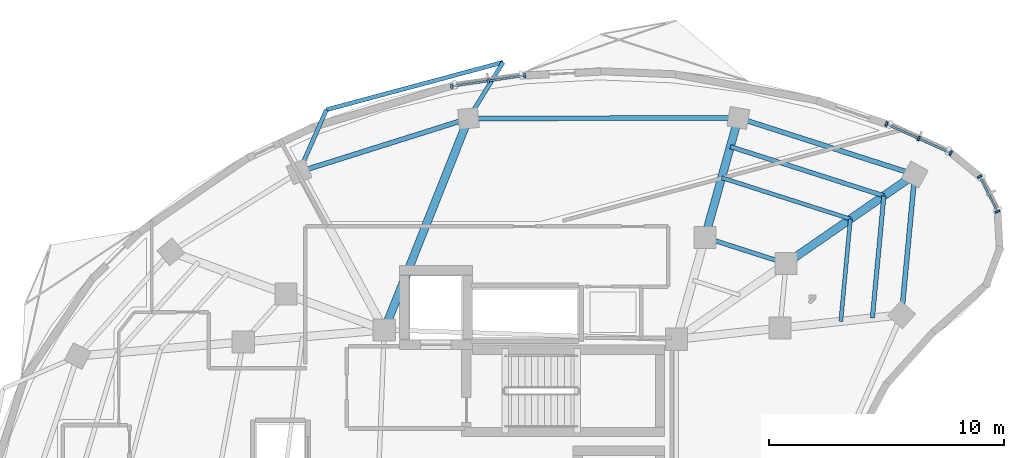
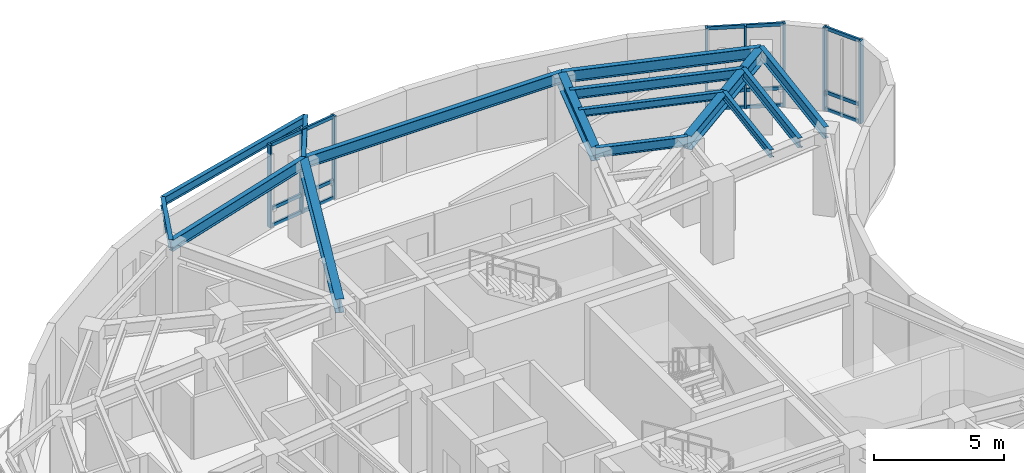
# One storey, part 5 of 13: 23 members, 15 beams, 3 elements without a shape of their own.
"""IFC4 building model written with IfcOpenShell, lengths in metres."""

from ifc_helpers import new_model, si_unit, direction, frame, origin, origin_2d, place, context, subcontext, project, spatial, rectangle, i_section, extrude, material, layer, layer_set, material_profile, profile_set, type_object, element, aggregate, save


model = new_model("IFC4")

# Units and contexts
model_context = context("Model", 3, precision=1e-05, world=origin(), true_north=direction((0.0, 1.0)))
body_context = subcontext(model_context, "Body", "Model", "MODEL_VIEW")
ifc_project = project(units=[si_unit("LENGTHUNIT", "METRE"), si_unit("AREAUNIT", "SQUARE_METRE"), si_unit("VOLUMEUNIT", "CUBIC_METRE"), si_unit("PLANEANGLEUNIT", "RADIAN"), si_unit("MASSUNIT", "GRAM", prefix="KILO")], contexts=[model_context])

# Site, building, storey
site_placement = place(None, origin())
site = spatial("IfcSite", under=ifc_project, at=site_placement, CompositionType="ELEMENT")
building_placement = place(site_placement, origin())
building = spatial("IfcBuilding", under=site, at=building_placement, Name="Korentha Bioscience Tower", CompositionType="ELEMENT")
storey_placement = place(building_placement, frame((0.0, 0.0, 268.800048828125)))
storey = spatial("IfcBuildingStorey", under=building, at=storey_placement, Name="L62", CompositionType="ELEMENT", Elevation=268.800048828125)

# Beam
ifc_material_1 = material(Name="Steel S355", Category="steel")
ifc_material_profile_1 = material_profile(ifc_material_1, i_section(OverallWidth=0.18994140625, OverallDepth=0.45703125, WebThickness=0.009033203125, FlangeThickness=0.014404296875, at=origin_2d()), Name="Steel S355")
ifc_profile_set_1 = profile_set([ifc_material_profile_1], Name="Steel S355 (MB-460)")
beam_type_1 = type_object("IfcBeamType", Name="Mid-Ring Tie Girder W460x74", PredefinedType="BEAM", material=ifc_profile_set_1)
beam_1_placement = place(storey_placement, frame((42.2216796875, 39.08056640625, 3.67138671875), z_axis=(-0.952264747125, 0.305273404318, 0.0), x_axis=(-0.305273404318, -0.952264747125, 0.0)))
element("IfcBeam", 1, at=beam_1_placement, inside=storey, type_object=beam_type_1, Name="L62 Mid-Ring Tie Girder 01", PredefinedType="BEAM", context=body_context, shape_type="SweptSolid", body=[
    extrude(i_section(OverallWidth=0.18994140625, OverallDepth=0.45703125, WebThickness=0.009033203125, FlangeThickness=0.014404296875, at=origin_2d()), origin(), (0.0, 0.0, 1.0), 3.630859375),
])

# Curtain wall, members
ifc_material_2 = material(Name="Thermally Broken Aluminium Frame", Category="aluminium")
ifc_layer = layer(ifc_material_2, 0.219970703125, Name="Thermally Broken Aluminium Frame")
ifc_layer_set = layer_set([ifc_layer], Name="Thermally Broken Aluminium Frame (CW-T2)")
curtain_wall_type = type_object("IfcCurtainWallType", Name="Solar-Screened Lab Unitised Curtain Wall CW-T2", PredefinedType="USERDEFINED", material=ifc_layer_set)
curtain_wall_1_placement = place(storey_placement, origin())
curtain_wall_1 = element("IfcCurtainWall", 2, at=curtain_wall_1_placement, inside=storey, type_object=curtain_wall_type, Name="L62 Curtain Wall 01", ObjectType="UNITISED", PredefinedType="USERDEFINED")
ifc_material_3 = material(Name="Anodised Aluminium 6063-T6", Category="aluminium")
ifc_material_profile_2 = material_profile(ifc_material_3, rectangle(XDim=0.090087890625, YDim=0.199951171875, at=origin_2d()), Name="Anodised Aluminium 6063-T6")
ifc_profile_set_2 = profile_set([ifc_material_profile_2], Name="Anodised Aluminium 6063-T6 (CW-MUL)")
member_type_1 = type_object("IfcMemberType", Name="Mullion RECT 90x200", PredefinedType="MULLION", material=ifc_profile_set_2)
member_1_placement = place(storey_placement, frame((49.239501953125, 43.780517578125, 0.0), z_axis=(0.0, 0.0, 1.0), x_axis=(-0.910604060449, 0.413279862918, 0.0)))
member_1 = element("IfcMember", 3, at=member_1_placement, type_object=member_type_1, Name="CW-L62-01 Mullion 1", PredefinedType="MULLION", context=body_context, shape_type="SweptSolid", body=[
    extrude(rectangle(XDim=0.090087890625, YDim=0.199951171875, at=origin_2d()), origin(), (0.0, 0.0, 1.0), 3.89990234375),
])
member_2_placement = place(storey_placement, frame((47.870361328125, 44.40185546875, 0.0), z_axis=(0.0, 0.0, 1.0), x_axis=(-0.910604060449, 0.413279862918, 0.0)))
member_2 = element("IfcMember", 4, at=member_2_placement, type_object=member_type_1, Name="CW-L62-01 Mullion 2", PredefinedType="MULLION", context=body_context, shape_type="SweptSolid", body=[
    extrude(rectangle(XDim=0.090087890625, YDim=0.199951171875, at=origin_2d()), origin(), (0.0, 0.0, 1.0), 3.89990234375),
])
member_3_placement = place(storey_placement, frame((46.501220703125, 45.023193359375, 0.0), z_axis=(0.0, 0.0, 1.0), x_axis=(-0.910604060449, 0.413279862918, 0.0)))
member_3 = element("IfcMember", 5, at=member_3_placement, type_object=member_type_1, Name="CW-L62-01 Mullion 3", PredefinedType="MULLION", context=body_context, shape_type="SweptSolid", body=[
    extrude(rectangle(XDim=0.090087890625, YDim=0.199951171875, at=origin_2d()), origin(), (0.0, 0.0, 1.0), 3.89990234375),
])

curtain_wall_2_placement = place(storey_placement, origin())
curtain_wall_2 = element("IfcCurtainWall", 6, at=curtain_wall_2_placement, inside=storey, type_object=curtain_wall_type, Name="L62 Curtain Wall 07", ObjectType="UNITISED", PredefinedType="USERDEFINED")
member_4_placement = place(storey_placement, frame((31.091064453125, 47.087890625, 0.0), z_axis=(0.0, 0.0, 1.0), x_axis=(-0.989459665324, -0.144808738328, 0.0)))
member_4 = element("IfcMember", 7, at=member_4_placement, type_object=member_type_1, Name="CW-L62-07 Mullion 1", PredefinedType="MULLION", context=body_context, shape_type="SweptSolid", body=[
    extrude(rectangle(XDim=0.090087890625, YDim=0.199951171875, at=origin_2d()), origin(), (0.0, 0.0, 1.0), 3.89990234375),
])
member_5_placement = place(storey_placement, frame((29.52880859375, 46.859375, 0.0), z_axis=(0.0, 0.0, 1.0), x_axis=(-0.989459665324, -0.144808738328, 0.0)))
member_5 = element("IfcMember", 8, at=member_5_placement, type_object=member_type_1, Name="CW-L62-07 Mullion 2", PredefinedType="MULLION", context=body_context, shape_type="SweptSolid", body=[
    extrude(rectangle(XDim=0.090087890625, YDim=0.199951171875, at=origin_2d()), origin(), (0.0, 0.0, 1.0), 3.89990234375),
])
member_6_placement = place(storey_placement, frame((27.966552734375, 46.630615234375, 0.0), z_axis=(0.0, 0.0, 1.0), x_axis=(-0.989459665324, -0.144808738328, 0.0)))
member_6 = element("IfcMember", 9, at=member_6_placement, type_object=member_type_1, Name="CW-L62-07 Mullion 3", PredefinedType="MULLION", context=body_context, shape_type="SweptSolid", body=[
    extrude(rectangle(XDim=0.090087890625, YDim=0.199951171875, at=origin_2d()), origin(), (0.0, 0.0, 1.0), 3.89990234375),
])

curtain_wall_3_placement = place(storey_placement, origin())
curtain_wall_3 = element("IfcCurtainWall", 10, at=curtain_wall_3_placement, inside=storey, type_object=curtain_wall_type, Name="L62 Curtain Wall 61", ObjectType="UNITISED", PredefinedType="USERDEFINED")
member_7_placement = place(storey_placement, frame((51.231201171875, 41.293212890625, 0.0), z_axis=(0.0, 0.0, 1.0), x_axis=(-0.454238686477, 0.890880023184, 0.0)))
member_7 = element("IfcMember", 11, at=member_7_placement, type_object=member_type_1, Name="CW-L62-61 Mullion 1", PredefinedType="MULLION", context=body_context, shape_type="SweptSolid", body=[
    extrude(rectangle(XDim=0.090087890625, YDim=0.199951171875, at=origin_2d()), origin(), (0.0, 0.0, 1.0), 3.89990234375),
])
member_8_placement = place(storey_placement, frame((50.471923828125, 42.782470703125, 0.0), z_axis=(0.0, 0.0, 1.0), x_axis=(-0.454238686477, 0.890880023184, 0.0)))
member_8 = element("IfcMember", 12, at=member_8_placement, type_object=member_type_1, Name="CW-L62-61 Mullion 2", PredefinedType="MULLION", context=body_context, shape_type="SweptSolid", body=[
    extrude(rectangle(XDim=0.090087890625, YDim=0.199951171875, at=origin_2d()), origin(), (0.0, 0.0, 1.0), 3.89990234375),
])

# Beams
ifc_material_profile_3 = material_profile(ifc_material_1, i_section(OverallWidth=0.208984375, OverallDepth=0.532958984375, WebThickness=0.01025390625, FlangeThickness=0.015625, at=origin_2d()), Name="Steel S355")
ifc_profile_set_3 = profile_set([ifc_material_profile_3], Name="Steel S355 (SB-530)")
beam_type_2 = type_object("IfcBeamType", Name="Perimeter Ring Spandrel Girder W530x92", PredefinedType="SPANDREL", material=ifc_profile_set_3)
beam_2_placement = place(storey_placement, frame((47.7060546875, 42.873046875, 3.633544921875), z_axis=(-0.952281827014, 0.305220120468, 0.0), x_axis=(-0.305220120468, -0.952281827014, 0.0)))
element("IfcBeam", 13, at=beam_2_placement, inside=storey, type_object=beam_type_2, Name="L62 Perimeter Spandrel Girder 01", PredefinedType="SPANDREL", context=body_context, shape_type="SweptSolid", body=[
    extrude(i_section(OverallWidth=0.208984375, OverallDepth=0.532958984375, WebThickness=0.01025390625, FlangeThickness=0.015625, at=origin_2d()), origin(), (0.0, 0.0, 1.0), 7.893310546875),
])
beam_3_placement = place(storey_placement, frame((40.189453125, 45.2822265625, 3.633544921875), z_axis=(-0.999998255351, -0.001867965325, 0.0), x_axis=(0.001867965325, -0.999998255351, 0.0)))
element("IfcBeam", 14, at=beam_3_placement, inside=storey, type_object=beam_type_2, Name="L62 Perimeter Spandrel Girder 02", PredefinedType="SPANDREL", context=body_context, shape_type="SweptSolid", body=[
    extrude(i_section(OverallWidth=0.208984375, OverallDepth=0.532958984375, WebThickness=0.01025390625, FlangeThickness=0.015625, at=origin_2d()), origin(), (0.0, 0.0, 1.0), 11.50146484375),
])
beam_4_placement = place(storey_placement, frame((28.68798828125, 45.2607421875, 3.633544921875), z_axis=(-0.953788154386, -0.300479877118, 0.0), x_axis=(0.300479877118, -0.953788154386, 0.0)))
element("IfcBeam", 15, at=beam_4_placement, inside=storey, type_object=beam_type_2, Name="L62 Perimeter Spandrel Girder 03", PredefinedType="SPANDREL", context=body_context, shape_type="SweptSolid", body=[
    extrude(i_section(OverallWidth=0.208984375, OverallDepth=0.532958984375, WebThickness=0.01025390625, FlangeThickness=0.015625, at=origin_2d()), origin(), (0.0, 0.0, 1.0), 7.5693359375),
])
beam_5_placement = place(storey_placement, frame((47.1455078125, 36.8955078125, 3.633544921875), z_axis=(0.093365902602, 0.995631863809, 0.0), x_axis=(-0.995631863809, 0.093365902602, 0.0)))
element("IfcBeam", 16, at=beam_5_placement, inside=storey, type_object=beam_type_2, Name="L62 Perimeter Spandrel Girder 16", PredefinedType="SPANDREL", context=body_context, shape_type="SweptSolid", body=[
    extrude(i_section(OverallWidth=0.208984375, OverallDepth=0.532958984375, WebThickness=0.01025390625, FlangeThickness=0.015625, at=origin_2d()), origin(), (0.0, 0.0, 1.0), 6.003662109375),
])
ifc_material_profile_4 = material_profile(ifc_material_1, i_section(OverallWidth=0.18994140625, OverallDepth=0.45703125, WebThickness=0.009033203125, FlangeThickness=0.014404296875, at=origin_2d()), Name="Steel S355")
ifc_profile_set_4 = profile_set([ifc_material_profile_4], Name="Steel S355 (RB-460)")
beam_type_3 = type_object("IfcBeamType", Name="Radial Laboratory Beam W460x74", PredefinedType="BEAM", material=ifc_profile_set_4)
beam_6_placement = place(storey_placement, frame((46.389892578125, 41.962890625, 3.67138671875), z_axis=(-0.952283347378, 0.305215376917, 0.0), x_axis=(-0.305215376917, -0.952283347378, 0.0)))
element("IfcBeam", 17, at=beam_6_placement, inside=storey, type_object=beam_type_3, Name="L62 Secondary Floor Beam JSTO-01", PredefinedType="BEAM", context=body_context, shape_type="SweptSolid", body=[
    extrude(i_section(OverallWidth=0.18994140625, OverallDepth=0.45703125, WebThickness=0.009033203125, FlangeThickness=0.014404296875, at=origin_2d()), origin(), (0.0, 0.0, 1.0), 6.870361328125),
])
beam_7_placement = place(storey_placement, frame((45.90185546875, 36.760009765625, 3.67138671875), z_axis=(0.093391362324, 0.995629475982, 0.0), x_axis=(-0.995629475982, 0.093391362324, 0.0)))
element("IfcBeam", 18, at=beam_7_placement, inside=storey, type_object=beam_type_3, Name="L62 Secondary Floor Beam JSTO-16", PredefinedType="BEAM", context=body_context, shape_type="SweptSolid", body=[
    extrude(i_section(OverallWidth=0.18994140625, OverallDepth=0.45703125, WebThickness=0.009033203125, FlangeThickness=0.014404296875, at=origin_2d()), origin(), (0.0, 0.0, 1.0), 5.225830078125),
])
ifc_material_profile_5 = material_profile(ifc_material_1, i_section(OverallWidth=0.35009765625, OverallDepth=0.64990234375, WebThickness=0.01611328125, FlangeThickness=0.02490234375, at=origin_2d()), Name="Steel S355")
ifc_profile_set_5 = profile_set([ifc_material_profile_5], Name="Steel S355 (RB-650)")
beam_type_4 = type_object("IfcBeamType", Name="Radial Laboratory Girder CVS 650x208", PredefinedType="BEAM", material=ifc_profile_set_5)
beam_8_placement = place(storey_placement, frame((42.2216796875, 39.08056640625, 3.574951171875), z_axis=(0.822500508627, 0.568764374155, 0.0), x_axis=(-0.568764374155, 0.822500508627, 0.0)))
element("IfcBeam", 19, at=beam_8_placement, inside=storey, type_object=beam_type_4, Name="L62 Outer Radial Girder 01", PredefinedType="BEAM", context=body_context, shape_type="SweptSolid", body=[
    extrude(i_section(OverallWidth=0.35009765625, OverallDepth=0.64990234375, WebThickness=0.01611328125, FlangeThickness=0.02490234375, at=origin_2d()), origin(), (0.0, 0.0, 1.0), 6.66796875),
])
beam_9_placement = place(storey_placement, frame((38.76416015625, 40.18896484375, 3.574951171875), z_axis=(0.26948609841, 0.963004279723, 0.0), x_axis=(-0.963004279723, 0.26948609841, 0.0)))
element("IfcBeam", 20, at=beam_9_placement, inside=storey, type_object=beam_type_4, Name="L62 Outer Radial Girder 02", PredefinedType="BEAM", context=body_context, shape_type="SweptSolid", body=[
    extrude(i_section(OverallWidth=0.35009765625, OverallDepth=0.64990234375, WebThickness=0.01611328125, FlangeThickness=0.02490234375, at=origin_2d()), origin(), (0.0, 0.0, 1.0), 5.288818359375),
])
beam_10_placement = place(storey_placement, frame((25.10009765625, 36.25, 3.574951171875), z_axis=(0.369931961537, 0.929058848423, 0.0), x_axis=(-0.929058848423, 0.369931961537, 0.0)))
element("IfcBeam", 21, at=beam_10_placement, inside=storey, type_object=beam_type_4, Name="L62 Radial Girder 03", PredefinedType="BEAM", context=body_context, shape_type="SweptSolid", body=[
    extrude(i_section(OverallWidth=0.35009765625, OverallDepth=0.64990234375, WebThickness=0.01611328125, FlangeThickness=0.02490234375, at=origin_2d()), origin(), (0.0, 0.0, 1.0), 9.69873046875),
])
ifc_material_profile_6 = material_profile(ifc_material_1, i_section(OverallWidth=0.1708984375, OverallDepth=0.35498046875, WebThickness=0.007080078125, FlangeThickness=0.01171875, at=origin_2d()), Name="Steel S355")
ifc_profile_set_6 = profile_set([ifc_material_profile_6], Name="Steel S355 (JB-360)")
beam_type_5 = type_object("IfcBeamType", Name="Secondary Laboratory Joist W360x51", PredefinedType="JOIST", material=ifc_profile_set_6)
beam_11_placement = place(storey_placement, frame((44.9638671875, 40.976806640625, 3.722412109375), z_axis=(-0.95227644606, 0.30523690845, 0.0), x_axis=(-0.30523690845, -0.95227644606, 0.0)))
element("IfcBeam", 22, at=beam_11_placement, inside=storey, type_object=beam_type_5, Name="L62 Secondary Floor Beam JST-01", PredefinedType="JOIST", context=body_context, shape_type="SweptSolid", body=[
    extrude(i_section(OverallWidth=0.1708984375, OverallDepth=0.35498046875, WebThickness=0.007080078125, FlangeThickness=0.01171875, at=origin_2d()), origin(), (0.0, 0.0, 1.0), 5.761962890625),
])
beam_12_placement = place(storey_placement, frame((44.5546875, 36.61328125, 3.722412109375), z_axis=(0.093363142036, 0.995632122678, 0.0), x_axis=(-0.995632122678, 0.093363142036, 0.0)))
element("IfcBeam", 23, at=beam_12_placement, inside=storey, type_object=beam_type_5, Name="L62 Secondary Floor Beam JST-16", PredefinedType="JOIST", context=body_context, shape_type="SweptSolid", body=[
    extrude(i_section(OverallWidth=0.1708984375, OverallDepth=0.35498046875, WebThickness=0.007080078125, FlangeThickness=0.01171875, at=origin_2d()), origin(), (0.0, 0.0, 1.0), 4.382568359375),
])
ifc_material_profile_7 = material_profile(ifc_material_1, i_section(OverallWidth=0.177978515625, OverallDepth=0.406982421875, WebThickness=0.0078125, FlangeThickness=0.0126953125, at=origin_2d()), Name="Steel S355")
ifc_profile_set_7 = profile_set([ifc_material_profile_7], Name="Steel S355 (CB-410)")
beam_type_6 = type_object("IfcBeamType", Name="Sun-Ledge Cantilever Beam W410x60", PredefinedType="BEAM", material=ifc_profile_set_7)
beam_13_placement = place(storey_placement, frame((28.68798828125, 45.2607421875, 3.698486328125), z_axis=(0.524208887164, 0.851589714956, 0.0), x_axis=(-0.851589714956, 0.524208887164, 0.0)))
element("IfcBeam", 24, at=beam_13_placement, inside=storey, type_object=beam_type_6, Name="L62 Balcony Cantilever Bracket A-L63-01", PredefinedType="BEAM", context=body_context, shape_type="SweptSolid", body=[
    extrude(i_section(OverallWidth=0.177978515625, OverallDepth=0.406982421875, WebThickness=0.0078125, FlangeThickness=0.0126953125, at=origin_2d()), origin(), (0.0, 0.0, 1.0), 2.810791015625),
])
beam_14_placement = place(storey_placement, frame((21.468505859375, 42.986328125, 3.698486328125), z_axis=(0.403629811883, 0.914922387396, 0.0), x_axis=(-0.914922387396, 0.403629811883, 0.0)))
element("IfcBeam", 25, at=beam_14_placement, inside=storey, type_object=beam_type_6, Name="L62 Balcony Cantilever Bracket B-L63-01", PredefinedType="BEAM", context=body_context, shape_type="SweptSolid", body=[
    extrude(i_section(OverallWidth=0.177978515625, OverallDepth=0.406982421875, WebThickness=0.0078125, FlangeThickness=0.0126953125, at=origin_2d()), origin(), (0.0, 0.0, 1.0), 2.891357421875),
])
beam_15_placement = place(storey_placement, frame((30.161376953125, 47.654296875, 3.698486328125), z_axis=(-0.965728190919, -0.259555507097, 0.0), x_axis=(0.259555507097, -0.965728190919, 0.0)))
element("IfcBeam", 26, at=beam_15_placement, inside=storey, type_object=beam_type_6, Name="L62 Balcony Edge Trimmer Beam L63-01", PredefinedType="BEAM", context=body_context, shape_type="SweptSolid", body=[
    extrude(i_section(OverallWidth=0.177978515625, OverallDepth=0.406982421875, WebThickness=0.0078125, FlangeThickness=0.0126953125, at=origin_2d()), origin(), (0.0, 0.0, 1.0), 7.79296875),
])

# Member
ifc_material_profile_8 = material_profile(ifc_material_3, rectangle(XDim=0.090087890625, YDim=0.159912109375, at=origin_2d()), Name="Anodised Aluminium 6063-T6")
ifc_profile_set_8 = profile_set([ifc_material_profile_8], Name="Anodised Aluminium 6063-T6 (CW-TRN)")
member_type_2 = type_object("IfcMemberType", Name="Transom RECT 90x160", PredefinedType="USERDEFINED", material=ifc_profile_set_8)
member_9_placement = place(storey_placement, frame((49.198486328125, 43.799072265625, 0.044921875), z_axis=(-0.910585208958, 0.41332139701, 0.0), x_axis=(-0.41332139701, -0.910585208958, 0.0)))
member_9 = element("IfcMember", 27, at=member_9_placement, type_object=member_type_2, Name="CW-L62-01 Bay 1 Transom 1", ObjectType="TRANSOM", PredefinedType="USERDEFINED", context=body_context, shape_type="SweptSolid", body=[
    extrude(rectangle(XDim=0.090087890625, YDim=0.159912109375, at=origin_2d()), origin(), (0.0, 0.0, 1.0), 1.41357421875),
])

member_10_placement = place(storey_placement, frame((49.198486328125, 43.799072265625, 0.849853515625), z_axis=(-0.910585208958, 0.41332139701, 0.0), x_axis=(-0.41332139701, -0.910585208958, 0.0)))
member_10 = element("IfcMember", 28, at=member_10_placement, type_object=member_type_2, Name="CW-L62-01 Bay 1 Transom 2", ObjectType="TRANSOM", PredefinedType="USERDEFINED", context=body_context, shape_type="SweptSolid", body=[
    extrude(rectangle(XDim=0.090087890625, YDim=0.159912109375, at=origin_2d()), origin(), (0.0, 0.0, 1.0), 1.41357421875),
])

member_11_placement = place(storey_placement, frame((49.198486328125, 43.799072265625, 3.85498046875), z_axis=(-0.910585208958, 0.41332139701, 0.0), x_axis=(-0.41332139701, -0.910585208958, 0.0)))
member_11 = element("IfcMember", 29, at=member_11_placement, type_object=member_type_2, Name="CW-L62-01 Bay 1 Transom 3", ObjectType="TRANSOM", PredefinedType="USERDEFINED", context=body_context, shape_type="SweptSolid", body=[
    extrude(rectangle(XDim=0.090087890625, YDim=0.159912109375, at=origin_2d()), origin(), (0.0, 0.0, 1.0), 1.41357421875),
])

member_12_placement = place(storey_placement, frame((47.829345703125, 44.42041015625, 0.044921875), z_axis=(-0.910585208958, 0.41332139701, 0.0), x_axis=(-0.41332139701, -0.910585208958, 0.0)))
member_12 = element("IfcMember", 30, at=member_12_placement, type_object=member_type_2, Name="CW-L62-01 Bay 2 Transom 1", ObjectType="TRANSOM", PredefinedType="USERDEFINED", context=body_context, shape_type="SweptSolid", body=[
    extrude(rectangle(XDim=0.090087890625, YDim=0.159912109375, at=origin_2d()), origin(), (0.0, 0.0, 1.0), 1.41357421875),
])

member_13_placement = place(storey_placement, frame((47.829345703125, 44.42041015625, 0.849853515625), z_axis=(-0.910585208958, 0.41332139701, 0.0), x_axis=(-0.41332139701, -0.910585208958, 0.0)))
member_13 = element("IfcMember", 31, at=member_13_placement, type_object=member_type_2, Name="CW-L62-01 Bay 2 Transom 2", ObjectType="TRANSOM", PredefinedType="USERDEFINED", context=body_context, shape_type="SweptSolid", body=[
    extrude(rectangle(XDim=0.090087890625, YDim=0.159912109375, at=origin_2d()), origin(), (0.0, 0.0, 1.0), 1.41357421875),
])

member_14_placement = place(storey_placement, frame((47.829345703125, 44.42041015625, 3.85498046875), z_axis=(-0.910585208958, 0.41332139701, 0.0), x_axis=(-0.41332139701, -0.910585208958, 0.0)))
member_14 = element("IfcMember", 32, at=member_14_placement, type_object=member_type_2, Name="CW-L62-01 Bay 2 Transom 3", ObjectType="TRANSOM", PredefinedType="USERDEFINED", context=body_context, shape_type="SweptSolid", body=[
    extrude(rectangle(XDim=0.090087890625, YDim=0.159912109375, at=origin_2d()), origin(), (0.0, 0.0, 1.0), 1.41357421875),
])

aggregate(curtain_wall_1, [member_1, member_2, member_3, member_9, member_10, member_11, member_12, member_13, member_14])

member_15_placement = place(storey_placement, frame((31.04638671875, 47.08154296875, 0.044921875), z_axis=(-0.989461637153, -0.144795264436, 0.0), x_axis=(0.144795264436, -0.989461637153, 0.0)))
member_15 = element("IfcMember", 33, at=member_15_placement, type_object=member_type_2, Name="CW-L62-07 Bay 1 Transom 1", ObjectType="TRANSOM", PredefinedType="USERDEFINED", context=body_context, shape_type="SweptSolid", body=[
    extrude(rectangle(XDim=0.090087890625, YDim=0.159912109375, at=origin_2d()), origin(), (0.0, 0.0, 1.0), 1.48876953125),
])

member_16_placement = place(storey_placement, frame((31.04638671875, 47.08154296875, 0.849853515625), z_axis=(-0.989461637153, -0.144795264436, 0.0), x_axis=(0.144795264436, -0.989461637153, 0.0)))
member_16 = element("IfcMember", 34, at=member_16_placement, type_object=member_type_2, Name="CW-L62-07 Bay 1 Transom 2", ObjectType="TRANSOM", PredefinedType="USERDEFINED", context=body_context, shape_type="SweptSolid", body=[
    extrude(rectangle(XDim=0.090087890625, YDim=0.159912109375, at=origin_2d()), origin(), (0.0, 0.0, 1.0), 1.48876953125),
])

member_17_placement = place(storey_placement, frame((31.04638671875, 47.08154296875, 3.85498046875), z_axis=(-0.989461637153, -0.144795264436, 0.0), x_axis=(0.144795264436, -0.989461637153, 0.0)))
member_17 = element("IfcMember", 35, at=member_17_placement, type_object=member_type_2, Name="CW-L62-07 Bay 1 Transom 3", ObjectType="TRANSOM", PredefinedType="USERDEFINED", context=body_context, shape_type="SweptSolid", body=[
    extrude(rectangle(XDim=0.090087890625, YDim=0.159912109375, at=origin_2d()), origin(), (0.0, 0.0, 1.0), 1.48876953125),
])

member_18_placement = place(storey_placement, frame((29.484130859375, 46.852783203125, 0.044921875), z_axis=(-0.989461637153, -0.144795264436, 0.0), x_axis=(0.144795264436, -0.989461637153, 0.0)))
member_18 = element("IfcMember", 36, at=member_18_placement, type_object=member_type_2, Name="CW-L62-07 Bay 2 Transom 1", ObjectType="TRANSOM", PredefinedType="USERDEFINED", context=body_context, shape_type="SweptSolid", body=[
    extrude(rectangle(XDim=0.090087890625, YDim=0.159912109375, at=origin_2d()), origin(), (0.0, 0.0, 1.0), 1.48876953125),
])

member_19_placement = place(storey_placement, frame((29.484130859375, 46.852783203125, 0.849853515625), z_axis=(-0.989461637153, -0.144795264436, 0.0), x_axis=(0.144795264436, -0.989461637153, 0.0)))
member_19 = element("IfcMember", 37, at=member_19_placement, type_object=member_type_2, Name="CW-L62-07 Bay 2 Transom 2", ObjectType="TRANSOM", PredefinedType="USERDEFINED", context=body_context, shape_type="SweptSolid", body=[
    extrude(rectangle(XDim=0.090087890625, YDim=0.159912109375, at=origin_2d()), origin(), (0.0, 0.0, 1.0), 1.48876953125),
])

member_20_placement = place(storey_placement, frame((29.484130859375, 46.852783203125, 3.85498046875), z_axis=(-0.989461637153, -0.144795264436, 0.0), x_axis=(0.144795264436, -0.989461637153, 0.0)))
member_20 = element("IfcMember", 38, at=member_20_placement, type_object=member_type_2, Name="CW-L62-07 Bay 2 Transom 3", ObjectType="TRANSOM", PredefinedType="USERDEFINED", context=body_context, shape_type="SweptSolid", body=[
    extrude(rectangle(XDim=0.090087890625, YDim=0.159912109375, at=origin_2d()), origin(), (0.0, 0.0, 1.0), 1.48876953125),
])

aggregate(curtain_wall_2, [member_4, member_5, member_6, member_15, member_16, member_17, member_18, member_19, member_20])

member_21_placement = place(storey_placement, frame((51.210693359375, 41.333251953125, 0.044921875), z_axis=(-0.454177837113, 0.890911046219, 0.0), x_axis=(-0.890911046219, -0.454177837113, 0.0)))
member_21 = element("IfcMember", 39, at=member_21_placement, type_object=member_type_2, Name="CW-L62-61 Bay 1 Transom 1", ObjectType="TRANSOM", PredefinedType="USERDEFINED", context=body_context, shape_type="SweptSolid", body=[
    extrude(rectangle(XDim=0.090087890625, YDim=0.159912109375, at=origin_2d()), origin(), (0.0, 0.0, 1.0), 1.58154296875),
])

member_22_placement = place(storey_placement, frame((51.210693359375, 41.333251953125, 0.849853515625), z_axis=(-0.454177837113, 0.890911046219, 0.0), x_axis=(-0.890911046219, -0.454177837113, 0.0)))
member_22 = element("IfcMember", 40, at=member_22_placement, type_object=member_type_2, Name="CW-L62-61 Bay 1 Transom 2", ObjectType="TRANSOM", PredefinedType="USERDEFINED", context=body_context, shape_type="SweptSolid", body=[
    extrude(rectangle(XDim=0.090087890625, YDim=0.159912109375, at=origin_2d()), origin(), (0.0, 0.0, 1.0), 1.58154296875),
])

member_23_placement = place(storey_placement, frame((51.210693359375, 41.333251953125, 3.85498046875), z_axis=(-0.454177837113, 0.890911046219, 0.0), x_axis=(-0.890911046219, -0.454177837113, 0.0)))
member_23 = element("IfcMember", 41, at=member_23_placement, type_object=member_type_2, Name="CW-L62-61 Bay 1 Transom 3", ObjectType="TRANSOM", PredefinedType="USERDEFINED", context=body_context, shape_type="SweptSolid", body=[
    extrude(rectangle(XDim=0.090087890625, YDim=0.159912109375, at=origin_2d()), origin(), (0.0, 0.0, 1.0), 1.58154296875),
])

aggregate(curtain_wall_3, [member_7, member_8, member_21, member_22, member_23])

save(model, "model.ifc")
